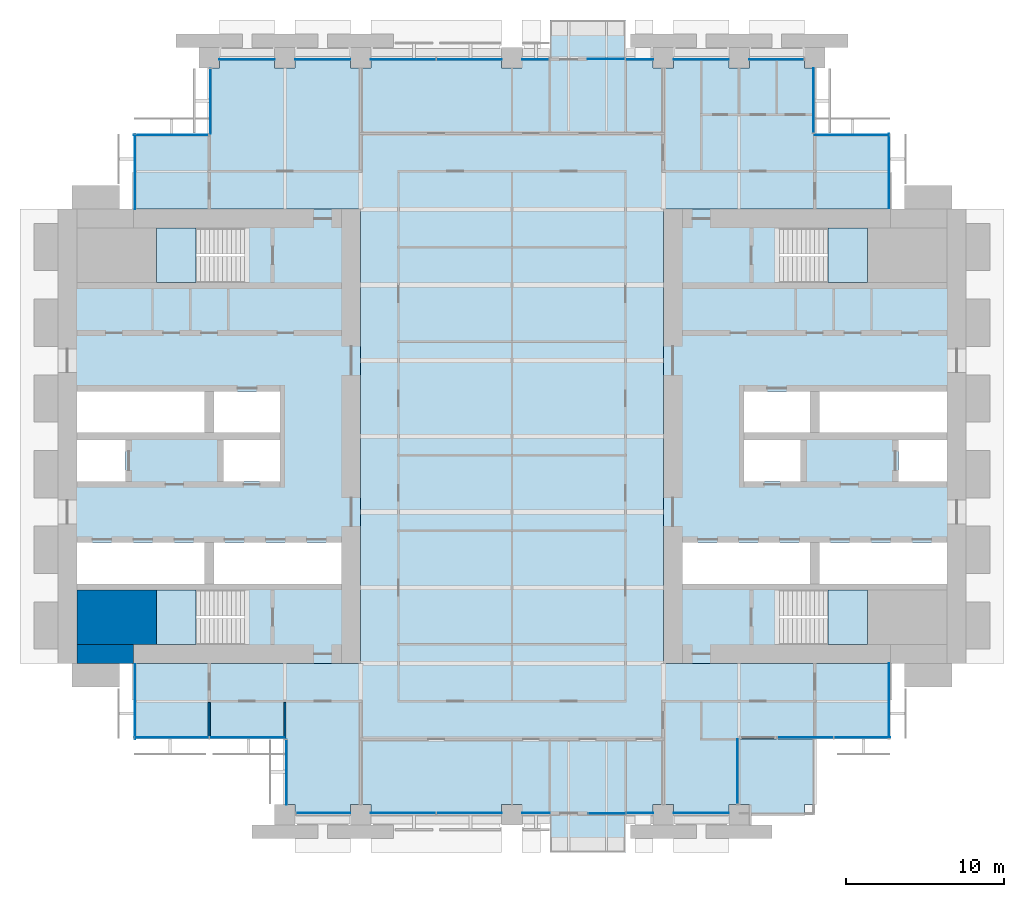
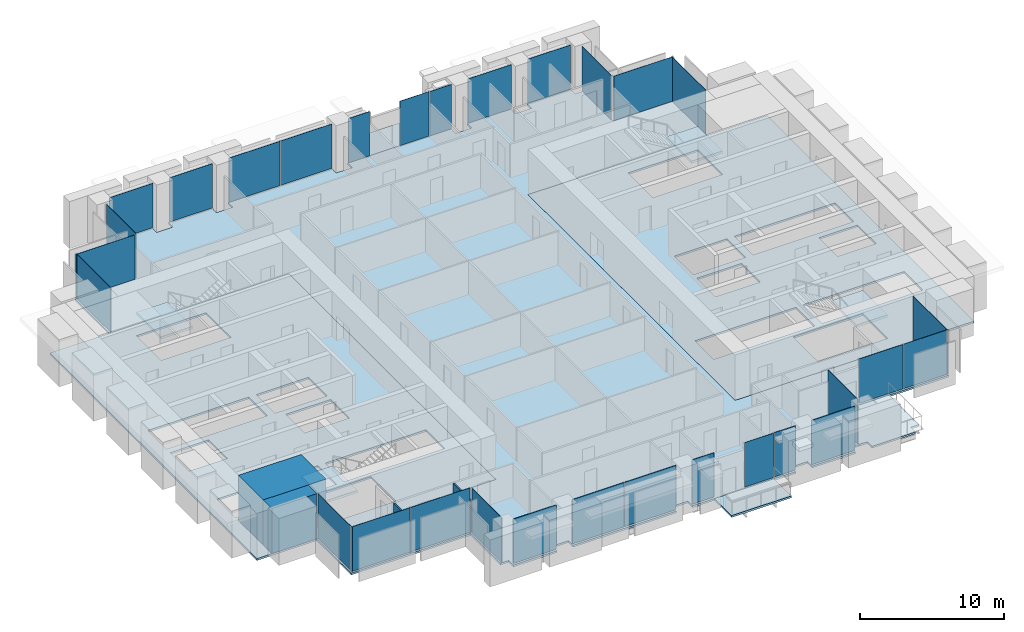
# One storey, part 8 of 15: 30 plates, 10 slabs, 4 walls, 22 elements without a shape of their own.
"""IFC4 building model written with IfcOpenShell, lengths in metres."""

from ifc_helpers import new_model, si_unit, direction, frame, frame_2d, origin, origin_2d, place, context, subcontext, project, spatial, polyline, rectangle, outline, extrude, material, layer, layer_set, type_object, element, aggregate, save


model = new_model("IFC4")

# Units and contexts
model_context = context("Model", 3, precision=1e-05, world=origin(), true_north=direction((0.0, 1.0)))
body_context = subcontext(model_context, "Body", "Model", "MODEL_VIEW")
ifc_project = project(units=[si_unit("LENGTHUNIT", "METRE"), si_unit("AREAUNIT", "SQUARE_METRE"), si_unit("VOLUMEUNIT", "CUBIC_METRE"), si_unit("PLANEANGLEUNIT", "RADIAN"), si_unit("MASSUNIT", "GRAM", prefix="KILO")], contexts=[model_context])

# Site, building, storey
site_placement = place(None, origin())
site = spatial("IfcSite", under=ifc_project, at=site_placement, CompositionType="ELEMENT")
building_placement = place(site_placement, origin())
building = spatial("IfcBuilding", under=site, at=building_placement, Name="Baori Bourse Tower", CompositionType="ELEMENT")
storey_placement = place(building_placement, frame((0.0, 0.0, 59.0)))
storey = spatial("IfcBuildingStorey", under=building, at=storey_placement, Name="L12", CompositionType="ELEMENT", Elevation=59.0)

# Slabs
ifc_material_1 = material(Name="Concrete f'c 40 MPa", Category="concrete")
ifc_layer_1 = layer(ifc_material_1, 0.159912109375)
ifc_layer_set_1 = layer_set([ifc_layer_1], Name="BL2 Balcony slab 160")
slab_type_1 = type_object("IfcSlabType", Name="BL2 Balcony slab 160", PredefinedType="FLOOR", material=ifc_layer_set_1)
slab_1_placement = place(storey_placement, frame((0.0, 0.0, -0.159912109375)))
element("IfcSlab", 1, at=slab_1_placement, inside=storey, type_object=slab_type_1, Name="Balcony slab L12 S", PredefinedType="FLOOR", context=body_context, shape_type="SweptSolid", body=[
    extrude(outline(polyline([(31.199951171875, 0.0), (31.199951171875, -2.39990234375), (36.0, -2.39990234375), (36.0, 0.0), (31.199951171875, 0.0)])), origin(), (0.0, 0.0, 1.0), 0.159912109375),
])
slab_2_placement = place(storey_placement, frame((0.0, 0.0, -0.159912109375)))
element("IfcSlab", 2, at=slab_2_placement, inside=storey, type_object=slab_type_1, Name="Balcony slab L12 N", PredefinedType="FLOOR", context=body_context, shape_type="SweptSolid", body=[
    extrude(outline(polyline([(31.199951171875, 48.0), (36.0, 48.0), (36.0, 50.39990234375), (31.199951171875, 50.39990234375), (31.199951171875, 48.0)])), origin(), (0.0, 0.0, 1.0), 0.159912109375),
])

# Curtain wall, plates
ifc_material_2 = material(Name="Pale anodised aluminium", Category="aluminium")
curtain_wall_type_1 = type_object("IfcCurtainWallType", Name="CW1 Curtain wall", PredefinedType="NOTDEFINED", material=ifc_material_2)
curtain_wall_1_placement = place(storey_placement, origin())
curtain_wall_1 = element("IfcCurtainWall", 3, at=curtain_wall_1_placement, inside=storey, type_object=curtain_wall_type_1, Name="Curtain wall CW1 L12 4", PredefinedType="NOTDEFINED")
ifc_material_3 = material(Name="Clear glass", Category="glass")
ifc_layer_2 = layer(ifc_material_3, 0.033935546875)
ifc_layer_set_2 = layer_set([ifc_layer_2], Name="CW1 Curtain wall panel")
plate_type_1 = type_object("IfcPlateType", Name="CW1 Curtain wall panel", PredefinedType="CURTAIN_PANEL", material=ifc_layer_set_2)
plate_1_placement = place(storey_placement, frame((45.570068359375, 47.89990234375, 0.080078125), z_axis=(0.0, 0.0, 1.0), x_axis=(-1.0, 0.0, 0.0)))
plate_1 = element("IfcPlate", 4, at=plate_1_placement, type_object=plate_type_1, Name="Curtain wall CW1 panel", PredefinedType="CURTAIN_PANEL", context=body_context, shape_type="SweptSolid", body=[
    extrude(rectangle(XDim=3.43994140625, YDim=0.033935546875, at=origin_2d()), origin(), (0.0, 0.0, 1.0), 3.760009765625),
])
plate_2_placement = place(storey_placement, frame((40.800048828125, 47.89990234375, 0.080078125), z_axis=(0.0, 0.0, 1.0), x_axis=(-1.0, 0.0, 0.0)))
plate_2 = element("IfcPlate", 5, at=plate_2_placement, type_object=plate_type_1, Name="Curtain wall CW1 panel", PredefinedType="CURTAIN_PANEL", context=body_context, shape_type="SweptSolid", body=[
    extrude(rectangle(XDim=3.5, YDim=0.033935546875, at=origin_2d()), origin(), (0.0, 0.0, 1.0), 3.760009765625),
])
plate_3_placement = place(storey_placement, frame((36.875, 47.89990234375, 0.080078125), z_axis=(0.0, 0.0, 1.0), x_axis=(-1.0, 0.0, 0.0)))
plate_3 = element("IfcPlate", 6, at=plate_3_placement, type_object=plate_type_1, Name="Curtain wall CW1 panel", PredefinedType="CURTAIN_PANEL", context=body_context, shape_type="SweptSolid", body=[
    extrude(rectangle(XDim=1.75, YDim=0.033935546875, at=origin_2d()), origin(), (0.0, 0.0, 1.0), 3.760009765625),
])
aggregate(curtain_wall_1, [plate_1, plate_2, plate_3])

curtain_wall_2_placement = place(storey_placement, origin())
curtain_wall_2 = element("IfcCurtainWall", 7, at=curtain_wall_2_placement, inside=storey, type_object=curtain_wall_type_1, Name="Curtain wall CW1 L12 6", PredefinedType="NOTDEFINED")
plate_4_placement = place(storey_placement, frame((30.294921875, 47.89990234375, 0.080078125), z_axis=(0.0, 0.0, 1.0), x_axis=(-1.0, 0.0, 0.0)))
plate_4 = element("IfcPlate", 8, at=plate_4_placement, type_object=plate_type_1, Name="Curtain wall CW1 panel", PredefinedType="CURTAIN_PANEL", context=body_context, shape_type="SweptSolid", body=[
    extrude(rectangle(XDim=1.68994140625, YDim=0.033935546875, at=origin_2d()), origin(), (0.0, 0.0, 1.0), 3.760009765625),
])
plate_5_placement = place(storey_placement, frame((26.090087890625, 47.89990234375, 0.080078125), z_axis=(0.0, 0.0, 1.0), x_axis=(-1.0, 0.0, 0.0)))
plate_5 = element("IfcPlate", 9, at=plate_5_placement, type_object=plate_type_1, Name="Curtain wall CW1 panel", PredefinedType="CURTAIN_PANEL", context=body_context, shape_type="SweptSolid", body=[
    extrude(rectangle(XDim=4.1201171875, YDim=0.033935546875, at=origin_2d()), origin(), (0.0, 0.0, 1.0), 3.760009765625),
])
plate_6_placement = place(storey_placement, frame((21.909912109375, 47.89990234375, 0.080078125), z_axis=(0.0, 0.0, 1.0), x_axis=(-1.0, 0.0, 0.0)))
plate_6 = element("IfcPlate", 10, at=plate_6_placement, type_object=plate_type_1, Name="Curtain wall CW1 panel", PredefinedType="CURTAIN_PANEL", context=body_context, shape_type="SweptSolid", body=[
    extrude(rectangle(XDim=4.1201171875, YDim=0.033935546875, at=origin_2d()), origin(), (0.0, 0.0, 1.0), 3.760009765625),
])
plate_7_placement = place(storey_placement, frame((16.800048828125, 47.89990234375, 0.080078125), z_axis=(0.0, 0.0, 1.0), x_axis=(-1.0, 0.0, 0.0)))
plate_7 = element("IfcPlate", 11, at=plate_7_placement, type_object=plate_type_1, Name="Curtain wall CW1 panel", PredefinedType="CURTAIN_PANEL", context=body_context, shape_type="SweptSolid", body=[
    extrude(rectangle(XDim=3.5, YDim=0.033935546875, at=origin_2d()), origin(), (0.0, 0.0, 1.0), 3.760009765625),
])
plate_8_placement = place(storey_placement, frame((12.0, 47.89990234375, 0.080078125), z_axis=(0.0, 0.0, 1.0), x_axis=(-1.0, 0.0, 0.0)))
plate_8 = element("IfcPlate", 12, at=plate_8_placement, type_object=plate_type_1, Name="Curtain wall CW1 panel", PredefinedType="CURTAIN_PANEL", context=body_context, shape_type="SweptSolid", body=[
    extrude(rectangle(XDim=3.5, YDim=0.033935546875, at=origin_2d()), origin(), (0.0, 0.0, 1.0), 3.760009765625),
])
aggregate(curtain_wall_2, [plate_4, plate_5, plate_6, plate_7, plate_8])

curtain_wall_3_placement = place(storey_placement, origin())
curtain_wall_3 = element("IfcCurtainWall", 13, at=curtain_wall_3_placement, inside=storey, type_object=curtain_wall_type_1, Name="Curtain wall CW1 L12 13", PredefinedType="NOTDEFINED")
plate_9_placement = place(storey_placement, frame((16.830078125, 0.10009765625, 0.080078125), z_axis=(0.0, 0.0, 1.0), x_axis=(1.0, 0.0, 0.0)))
plate_9 = element("IfcPlate", 14, at=plate_9_placement, type_object=plate_type_1, Name="Curtain wall CW1 panel", PredefinedType="CURTAIN_PANEL", context=body_context, shape_type="SweptSolid", body=[
    extrude(rectangle(XDim=3.43994140625, YDim=0.033935546875, at=origin_2d()), origin(), (0.0, 0.0, 1.0), 3.760009765625),
])
plate_10_placement = place(storey_placement, frame((21.909912109375, 0.10009765625, 0.080078125), z_axis=(0.0, 0.0, 1.0), x_axis=(1.0, 0.0, 0.0)))
plate_10 = element("IfcPlate", 15, at=plate_10_placement, type_object=plate_type_1, Name="Curtain wall CW1 panel", PredefinedType="CURTAIN_PANEL", context=body_context, shape_type="SweptSolid", body=[
    extrude(rectangle(XDim=4.1201171875, YDim=0.033935546875, at=origin_2d()), origin(), (0.0, 0.0, 1.0), 3.760009765625),
])
plate_11_placement = place(storey_placement, frame((26.090087890625, 0.10009765625, 0.080078125), z_axis=(0.0, 0.0, 1.0), x_axis=(1.0, 0.0, 0.0)))
plate_11 = element("IfcPlate", 16, at=plate_11_placement, type_object=plate_type_1, Name="Curtain wall CW1 panel", PredefinedType="CURTAIN_PANEL", context=body_context, shape_type="SweptSolid", body=[
    extrude(rectangle(XDim=4.1201171875, YDim=0.033935546875, at=origin_2d()), origin(), (0.0, 0.0, 1.0), 3.760009765625),
])
plate_12_placement = place(storey_placement, frame((30.324951171875, 0.10009765625, 0.080078125), z_axis=(0.0, 0.0, 1.0), x_axis=(1.0, 0.0, 0.0)))
plate_12 = element("IfcPlate", 17, at=plate_12_placement, type_object=plate_type_1, Name="Curtain wall CW1 panel", PredefinedType="CURTAIN_PANEL", context=body_context, shape_type="SweptSolid", body=[
    extrude(rectangle(XDim=1.75, YDim=0.033935546875, at=origin_2d()), origin(), (0.0, 0.0, 1.0), 3.760009765625),
])
aggregate(curtain_wall_3, [plate_9, plate_10, plate_11, plate_12])

curtain_wall_4_placement = place(storey_placement, origin())
curtain_wall_4 = element("IfcCurtainWall", 18, at=curtain_wall_4_placement, inside=storey, type_object=curtain_wall_type_1, Name="Curtain wall CW1 L12 15", PredefinedType="NOTDEFINED")
plate_13_placement = place(storey_placement, frame((36.905029296875, 0.10009765625, 0.080078125), z_axis=(0.0, 0.0, 1.0), x_axis=(1.0, 0.0, 0.0)))
plate_13 = element("IfcPlate", 19, at=plate_13_placement, type_object=plate_type_1, Name="Curtain wall CW1 panel", PredefinedType="CURTAIN_PANEL", context=body_context, shape_type="SweptSolid", body=[
    extrude(rectangle(XDim=1.68994140625, YDim=0.033935546875, at=origin_2d()), origin(), (0.0, 0.0, 1.0), 3.760009765625),
])
plate_14_placement = place(storey_placement, frame((40.800048828125, 0.10009765625, 0.080078125), z_axis=(0.0, 0.0, 1.0), x_axis=(1.0, 0.0, 0.0)))
plate_14 = element("IfcPlate", 20, at=plate_14_placement, type_object=plate_type_1, Name="Curtain wall CW1 panel", PredefinedType="CURTAIN_PANEL", context=body_context, shape_type="SweptSolid", body=[
    extrude(rectangle(XDim=3.5, YDim=0.033935546875, at=origin_2d()), origin(), (0.0, 0.0, 1.0), 3.760009765625),
])
aggregate(curtain_wall_4, [plate_13, plate_14])

# Curtain wall, plate
ifc_material_4 = material(Name="Pale anodised aluminium", Category="aluminium")
curtain_wall_type_2 = type_object("IfcCurtainWallType", Name="CW2 Curtain wall", PredefinedType="NOTDEFINED", material=ifc_material_4)
curtain_wall_5_placement = place(storey_placement, origin())
curtain_wall_5 = element("IfcCurtainWall", 21, at=curtain_wall_5_placement, inside=storey, type_object=curtain_wall_type_2, Name="Curtain wall CW2 L12 1", PredefinedType="NOTDEFINED")
ifc_material_5 = material(Name="Clear glass", Category="glass")
ifc_layer_3 = layer(ifc_material_5, 0.030029296875)
ifc_layer_set_3 = layer_set([ifc_layer_3], Name="CW2 Curtain wall panel")
plate_type_2 = type_object("IfcPlateType", Name="CW2 Curtain wall panel", PredefinedType="CURTAIN_PANEL", material=ifc_layer_set_3)
plate_15_placement = place(storey_placement, frame((52.7099609375, 40.827392578125, 0.070068359375), z_axis=(0.0, 0.0, 1.0), x_axis=(0.0, 1.0, 0.0)))
plate_15 = element("IfcPlate", 22, at=plate_15_placement, type_object=plate_type_2, Name="Curtain wall CW2 panel", PredefinedType="CURTAIN_PANEL", context=body_context, shape_type="SweptSolid", body=[
    extrude(rectangle(XDim=4.7451171875, YDim=0.030029296875, at=origin_2d()), origin(), (0.0, 0.0, 1.0), 3.77001953125),
])
aggregate(curtain_wall_5, [plate_15])

curtain_wall_6_placement = place(storey_placement, origin())
curtain_wall_6 = element("IfcCurtainWall", 23, at=curtain_wall_6_placement, inside=storey, type_object=curtain_wall_type_2, Name="Curtain wall CW2 L12 2", PredefinedType="NOTDEFINED")
plate_16_placement = place(storey_placement, frame((50.37255859375, 43.110107421875, 0.070068359375), z_axis=(0.0, 0.0, 1.0), x_axis=(-1.0, 0.0, 0.0)))
plate_16 = element("IfcPlate", 24, at=plate_16_placement, type_object=plate_type_2, Name="Curtain wall CW2 panel", PredefinedType="CURTAIN_PANEL", context=body_context, shape_type="SweptSolid", body=[
    extrude(rectangle(XDim=4.7451171875, YDim=0.030029296875, at=origin_2d()), origin(), (0.0, 0.0, 1.0), 3.77001953125),
])
aggregate(curtain_wall_6, [plate_16])

curtain_wall_7_placement = place(storey_placement, origin())
curtain_wall_7 = element("IfcCurtainWall", 25, at=curtain_wall_7_placement, inside=storey, type_object=curtain_wall_type_2, Name="Curtain wall CW2 L12 3", PredefinedType="NOTDEFINED")
plate_17_placement = place(storey_placement, frame((47.909912109375, 45.302490234375, 0.070068359375), z_axis=(0.0, 0.0, 1.0), x_axis=(0.0, 1.0, 0.0)))
plate_17 = element("IfcPlate", 26, at=plate_17_placement, type_object=plate_type_2, Name="Curtain wall CW2 panel", PredefinedType="CURTAIN_PANEL", context=body_context, shape_type="SweptSolid", body=[
    extrude(rectangle(XDim=4.094970703125, YDim=0.030029296875, at=origin_2d()), origin(), (0.0, 0.0, 1.0), 3.77001953125),
])
aggregate(curtain_wall_7, [plate_17])

curtain_wall_8_placement = place(storey_placement, origin())
curtain_wall_8 = element("IfcCurtainWall", 27, at=curtain_wall_8_placement, inside=storey, type_object=curtain_wall_type_2, Name="Curtain wall CW2 L12 7", PredefinedType="NOTDEFINED")
plate_18_placement = place(storey_placement, frame((9.68994140625, 45.24755859375, 0.070068359375), z_axis=(0.0, 0.0, 1.0), x_axis=(0.0, -1.0, 0.0)))
plate_18 = element("IfcPlate", 28, at=plate_18_placement, type_object=plate_type_2, Name="Curtain wall CW2 panel", PredefinedType="CURTAIN_PANEL", context=body_context, shape_type="SweptSolid", body=[
    extrude(rectangle(XDim=4.094970703125, YDim=0.030029296875, at=origin_2d()), origin(), (0.0, 0.0, 1.0), 3.77001953125),
])
aggregate(curtain_wall_8, [plate_18])

curtain_wall_9_placement = place(storey_placement, origin())
curtain_wall_9 = element("IfcCurtainWall", 29, at=curtain_wall_9_placement, inside=storey, type_object=curtain_wall_type_2, Name="Curtain wall CW2 L12 8", PredefinedType="NOTDEFINED")
plate_19_placement = place(storey_placement, frame((7.172607421875, 43.110107421875, 0.070068359375), z_axis=(0.0, 0.0, 1.0), x_axis=(-1.0, 0.0, 0.0)))
plate_19 = element("IfcPlate", 30, at=plate_19_placement, type_object=plate_type_2, Name="Curtain wall CW2 panel", PredefinedType="CURTAIN_PANEL", context=body_context, shape_type="SweptSolid", body=[
    extrude(rectangle(XDim=4.7451171875, YDim=0.030029296875, at=origin_2d()), origin(), (0.0, 0.0, 1.0), 3.77001953125),
])
aggregate(curtain_wall_9, [plate_19])

curtain_wall_10_placement = place(storey_placement, origin())
curtain_wall_10 = element("IfcCurtainWall", 31, at=curtain_wall_10_placement, inside=storey, type_object=curtain_wall_type_2, Name="Curtain wall CW2 L12 9", PredefinedType="NOTDEFINED")
plate_20_placement = place(storey_placement, frame((4.889892578125, 40.7724609375, 0.070068359375), z_axis=(0.0, 0.0, 1.0), x_axis=(0.0, -1.0, 0.0)))
plate_20 = element("IfcPlate", 32, at=plate_20_placement, type_object=plate_type_2, Name="Curtain wall CW2 panel", PredefinedType="CURTAIN_PANEL", context=body_context, shape_type="SweptSolid", body=[
    extrude(rectangle(XDim=4.7451171875, YDim=0.030029296875, at=origin_2d()), origin(), (0.0, 0.0, 1.0), 3.77001953125),
])
aggregate(curtain_wall_10, [plate_20])

curtain_wall_11_placement = place(storey_placement, origin())
curtain_wall_11 = element("IfcCurtainWall", 33, at=curtain_wall_11_placement, inside=storey, type_object=curtain_wall_type_2, Name="Curtain wall CW2 L12 10", PredefinedType="NOTDEFINED")
plate_21_placement = place(storey_placement, frame((4.889892578125, 7.172607421875, 0.070068359375), z_axis=(0.0, 0.0, 1.0), x_axis=(0.0, -1.0, 0.0)))
plate_21 = element("IfcPlate", 34, at=plate_21_placement, type_object=plate_type_2, Name="Curtain wall CW2 panel", PredefinedType="CURTAIN_PANEL", context=body_context, shape_type="SweptSolid", body=[
    extrude(rectangle(XDim=4.7451171875, YDim=0.030029296875, at=origin_2d()), origin(), (0.0, 0.0, 1.0), 3.77001953125),
])
aggregate(curtain_wall_11, [plate_21])

# Curtain wall, plates
curtain_wall_12_placement = place(storey_placement, origin())
curtain_wall_12 = element("IfcCurtainWall", 35, at=curtain_wall_12_placement, inside=storey, type_object=curtain_wall_type_2, Name="Curtain wall CW2 L12 11", PredefinedType="NOTDEFINED")
plate_22_placement = place(storey_placement, frame((7.2138671875, 4.889892578125, 0.070068359375), z_axis=(0.0, 0.0, 1.0), x_axis=(1.0, 0.0, 0.0)))
plate_22 = element("IfcPlate", 36, at=plate_22_placement, type_object=plate_type_2, Name="Curtain wall CW2 panel", PredefinedType="CURTAIN_PANEL", context=body_context, shape_type="SweptSolid", body=[
    extrude(rectangle(XDim=4.717529296875, YDim=0.030029296875, at=origin_2d()), origin(), (0.0, 0.0, 1.0), 3.77001953125),
])
plate_23_placement = place(storey_placement, frame((12.013671875, 4.889892578125, 0.070068359375), z_axis=(0.0, 0.0, 1.0), x_axis=(1.0, 0.0, 0.0)))
plate_23 = element("IfcPlate", 37, at=plate_23_placement, type_object=plate_type_2, Name="Curtain wall CW2 panel", PredefinedType="CURTAIN_PANEL", context=body_context, shape_type="SweptSolid", body=[
    extrude(rectangle(XDim=4.7724609375, YDim=0.030029296875, at=origin_2d()), origin(), (0.0, 0.0, 1.0), 3.77001953125),
])
aggregate(curtain_wall_12, [plate_22, plate_23])

# Curtain wall, plate
curtain_wall_13_placement = place(storey_placement, origin())
curtain_wall_13 = element("IfcCurtainWall", 38, at=curtain_wall_13_placement, inside=storey, type_object=curtain_wall_type_2, Name="Curtain wall CW2 L12 12", PredefinedType="NOTDEFINED")
plate_24_placement = place(storey_placement, frame((14.489990234375, 2.697509765625, 0.070068359375), z_axis=(0.0, 0.0, 1.0), x_axis=(0.0, -1.0, 0.0)))
plate_24 = element("IfcPlate", 39, at=plate_24_placement, type_object=plate_type_2, Name="Curtain wall CW2 panel", PredefinedType="CURTAIN_PANEL", context=body_context, shape_type="SweptSolid", body=[
    extrude(rectangle(XDim=4.094970703125, YDim=0.030029296875, at=origin_2d()), origin(), (0.0, 0.0, 1.0), 3.77001953125),
])
aggregate(curtain_wall_13, [plate_24])

curtain_wall_14_placement = place(storey_placement, origin())
curtain_wall_14 = element("IfcCurtainWall", 40, at=curtain_wall_14_placement, inside=storey, type_object=curtain_wall_type_2, Name="Curtain wall CW2 L12 16", PredefinedType="NOTDEFINED")
plate_25_placement = place(storey_placement, frame((43.110107421875, 2.75244140625, 0.070068359375), z_axis=(0.0, 0.0, 1.0), x_axis=(0.0, 1.0, 0.0)))
plate_25 = element("IfcPlate", 41, at=plate_25_placement, type_object=plate_type_2, Name="Curtain wall CW2 panel", PredefinedType="CURTAIN_PANEL", context=body_context, shape_type="SweptSolid", body=[
    extrude(rectangle(XDim=4.094970703125, YDim=0.030029296875, at=origin_2d()), origin(), (0.0, 0.0, 1.0), 3.77001953125),
])
aggregate(curtain_wall_14, [plate_25])

# Curtain wall, plates
curtain_wall_15_placement = place(storey_placement, origin())
curtain_wall_15 = element("IfcCurtainWall", 42, at=curtain_wall_15_placement, inside=storey, type_object=curtain_wall_type_2, Name="Curtain wall CW2 L12 17", PredefinedType="NOTDEFINED")
plate_26_placement = place(storey_placement, frame((47.413818359375, 4.889892578125, 0.070068359375), z_axis=(0.0, 0.0, 1.0), x_axis=(1.0, 0.0, 0.0)))
plate_26 = element("IfcPlate", 43, at=plate_26_placement, type_object=plate_type_2, Name="Curtain wall CW2 panel", PredefinedType="CURTAIN_PANEL", context=body_context, shape_type="SweptSolid", body=[
    extrude(rectangle(XDim=3.517578125, YDim=0.030029296875, at=origin_2d()), origin(), (0.0, 0.0, 1.0), 3.77001953125),
])
plate_27_placement = place(storey_placement, frame((51.013671875, 4.889892578125, 0.070068359375), z_axis=(0.0, 0.0, 1.0), x_axis=(1.0, 0.0, 0.0)))
plate_27 = element("IfcPlate", 44, at=plate_27_placement, type_object=plate_type_2, Name="Curtain wall CW2 panel", PredefinedType="CURTAIN_PANEL", context=body_context, shape_type="SweptSolid", body=[
    extrude(rectangle(XDim=3.572509765625, YDim=0.030029296875, at=origin_2d()), origin(), (0.0, 0.0, 1.0), 3.77001953125),
])
aggregate(curtain_wall_15, [plate_26, plate_27])

# Curtain wall, plate
curtain_wall_16_placement = place(storey_placement, origin())
curtain_wall_16 = element("IfcCurtainWall", 45, at=curtain_wall_16_placement, inside=storey, type_object=curtain_wall_type_2, Name="Curtain wall CW2 L12 18", PredefinedType="NOTDEFINED")
plate_28_placement = place(storey_placement, frame((52.7099609375, 7.2275390625, 0.070068359375), z_axis=(0.0, 0.0, 1.0), x_axis=(0.0, 1.0, 0.0)))
plate_28 = element("IfcPlate", 46, at=plate_28_placement, type_object=plate_type_2, Name="Curtain wall CW2 panel", PredefinedType="CURTAIN_PANEL", context=body_context, shape_type="SweptSolid", body=[
    extrude(rectangle(XDim=4.7451171875, YDim=0.030029296875, at=origin_2d()), origin(), (0.0, 0.0, 1.0), 3.77001953125),
])
aggregate(curtain_wall_16, [plate_28])

ifc_material_6 = material(Name="Pale anodised aluminium", Category="aluminium")
curtain_wall_type_3 = type_object("IfcCurtainWallType", Name="CW6 Curtain wall", PredefinedType="NOTDEFINED", material=ifc_material_6)
curtain_wall_17_placement = place(storey_placement, origin())
curtain_wall_17 = element("IfcCurtainWall", 47, at=curtain_wall_17_placement, inside=storey, type_object=curtain_wall_type_3, Name="Curtain wall CW6 L12 5", PredefinedType="NOTDEFINED")
ifc_material_7 = material(Name="Clear glass", Category="glass")
ifc_layer_4 = layer(ifc_material_7, 0.028076171875)
ifc_layer_set_4 = layer_set([ifc_layer_4], Name="CW6 Curtain wall panel")
plate_type_3 = type_object("IfcPlateType", Name="CW6 Curtain wall panel", PredefinedType="CURTAIN_PANEL", material=ifc_layer_set_4)
plate_29_placement = place(storey_placement, frame((34.77490234375, 47.925048828125, 0.06494140625), z_axis=(0.0, 0.0, 1.0), x_axis=(-1.0, 0.0, 0.0)))
plate_29 = element("IfcPlate", 48, at=plate_29_placement, type_object=plate_type_3, Name="Curtain wall CW6 panel", PredefinedType="CURTAIN_PANEL", context=body_context, shape_type="SweptSolid", body=[
    extrude(rectangle(XDim=2.35009765625, YDim=0.028076171875, at=origin_2d()), origin(), (0.0, 0.0, 1.0), 3.77490234375),
])
aggregate(curtain_wall_17, [plate_29])

curtain_wall_18_placement = place(storey_placement, origin())
curtain_wall_18 = element("IfcCurtainWall", 49, at=curtain_wall_18_placement, inside=storey, type_object=curtain_wall_type_3, Name="Curtain wall CW6 L12 14", PredefinedType="NOTDEFINED")
plate_30_placement = place(storey_placement, frame((34.824951171875, 0.074951171875, 0.06494140625), z_axis=(0.0, 0.0, 1.0), x_axis=(1.0, 0.0, 0.0)))
plate_30 = element("IfcPlate", 50, at=plate_30_placement, type_object=plate_type_3, Name="Curtain wall CW6 panel", PredefinedType="CURTAIN_PANEL", context=body_context, shape_type="SweptSolid", body=[
    extrude(rectangle(XDim=2.35009765625, YDim=0.028076171875, at=origin_2d()), origin(), (0.0, 0.0, 1.0), 3.77490234375),
])
aggregate(curtain_wall_18, [plate_30])

# Slabs
ifc_material_8 = material(Name="Concrete f'c 50 MPa", Category="concrete")
ifc_layer_5 = layer(ifc_material_8, 0.159912109375)
ifc_layer_set_5 = layer_set([ifc_layer_5], Name="Core slab 160")
slab_type_2 = type_object("IfcSlabType", Name="Core slab 160", PredefinedType="FLOOR", material=ifc_layer_set_5)
slab_3_placement = place(storey_placement, frame((0.0, 0.0, -0.159912109375)))
element("IfcSlab", 51, at=slab_3_placement, inside=storey, type_object=slab_type_2, Name="Core floor slab W01", PredefinedType="FLOOR", context=body_context, shape_type="SweptSolid", body=[
    extrude(outline(polyline([(19.199951171875, 9.60009765625), (19.199951171875, 38.39990234375), (0.0, 38.39990234375), (0.0, 9.60009765625), (19.199951171875, 9.60009765625)]), holes=[polyline([(9.89990234375, 14.64990234375), (9.89990234375, 17.25), (18.0, 17.25), (18.0, 14.64990234375), (9.89990234375, 14.64990234375)]), polyline([(10.5, 21.14990234375), (10.5, 23.75), (14.10009765625, 23.75), (14.10009765625, 21.14990234375), (10.5, 21.14990234375)]), polyline([(14.10009765625, 24.25), (9.89990234375, 24.25), (9.89990234375, 26.85009765625), (14.10009765625, 26.85009765625), (14.10009765625, 24.25)]), polyline([(6.25, 14.25), (11.84912109375, 14.25), (11.84912109375, 10.800048828125), (6.25, 10.800048828125), (6.25, 14.25)]), polyline([(11.84912109375, 37.199951171875), (11.84912109375, 33.75), (6.25, 33.75), (6.25, 37.199951171875), (11.84912109375, 37.199951171875)]), polyline([(1.199951171875, 26.85009765625), (9.300048828125, 26.85009765625), (9.300048828125, 24.25), (1.199951171875, 24.25), (1.199951171875, 26.85009765625)]), polyline([(9.300048828125, 14.64990234375), (1.199951171875, 14.64990234375), (1.199951171875, 17.25), (9.300048828125, 17.25), (9.300048828125, 14.64990234375)]), polyline([(4.300048828125, 23.75), (4.300048828125, 21.14990234375), (1.199951171875, 21.14990234375), (1.199951171875, 23.75), (4.300048828125, 23.75)])]), origin(), (0.0, 0.0, 1.0), 0.159912109375),
])
slab_4_placement = place(storey_placement, frame((0.0, 0.0, -0.159912109375)))
element("IfcSlab", 52, at=slab_4_placement, inside=storey, type_object=slab_type_2, Name="Core floor slab E01", PredefinedType="FLOOR", context=body_context, shape_type="SweptSolid", body=[
    extrude(outline(polyline([(38.39990234375, 9.60009765625), (57.60009765625, 9.60009765625), (57.60009765625, 38.39990234375), (38.39990234375, 38.39990234375), (38.39990234375, 9.60009765625)]), holes=[polyline([(48.300048828125, 14.64990234375), (48.300048828125, 17.25), (56.39990234375, 17.25), (56.39990234375, 14.64990234375), (48.300048828125, 14.64990234375)]), polyline([(56.39990234375, 21.14990234375), (53.300048828125, 21.14990234375), (53.300048828125, 23.75), (56.39990234375, 23.75), (56.39990234375, 21.14990234375)]), polyline([(56.39990234375, 26.85009765625), (56.39990234375, 24.25), (48.300048828125, 24.25), (48.300048828125, 26.85009765625), (56.39990234375, 26.85009765625)]), polyline([(45.750732421875, 14.25), (51.35009765625, 14.25), (51.35009765625, 10.800048828125), (45.750732421875, 10.800048828125), (45.750732421875, 14.25)]), polyline([(51.35009765625, 37.199951171875), (51.35009765625, 33.75), (45.750732421875, 33.75), (45.750732421875, 37.199951171875), (51.35009765625, 37.199951171875)]), polyline([(39.60009765625, 17.25), (47.699951171875, 17.25), (47.699951171875, 14.64990234375), (39.60009765625, 14.64990234375), (39.60009765625, 17.25)]), polyline([(43.5, 24.25), (43.5, 26.85009765625), (47.699951171875, 26.85009765625), (47.699951171875, 24.25), (43.5, 24.25)]), polyline([(43.5, 23.75), (47.10009765625, 23.75), (47.10009765625, 21.14990234375), (43.5, 21.14990234375), (43.5, 23.75)])]), origin(), (0.0, 0.0, 1.0), 0.159912109375),
])

# Stair, slab
ifc_material_9 = material(Name="Concrete f'c 50 MPa", Category="concrete")
stair_type = type_object("IfcStairType", Name="Core stair", PredefinedType="HALF_TURN_STAIR", material=ifc_material_9)
stair_1_placement = place(storey_placement, origin())
stair_1 = element("IfcStair", 53, at=stair_1_placement, inside=storey, type_object=stair_type, Name="L12 Stair WA", PredefinedType="HALF_TURN_STAIR")
ifc_material_10 = material(Name="Concrete f'c 50 MPa", Category="concrete")
slab_type_3 = type_object("IfcSlabType", Name="Core stair landing", PredefinedType="LANDING", material=ifc_material_10)
slab_5_placement = place(storey_placement, frame((0.0, 0.0, 1.800048828125)))
slab_5 = element("IfcSlab", 54, at=slab_5_placement, type_object=slab_type_3, Name="ST1 landing 1", PredefinedType="LANDING", context=body_context, shape_type="SweptSolid", body=[
    extrude(outline(polyline([(8.77001953125, 14.25), (6.25, 14.25), (6.25, 10.800048828125), (8.77001953125, 10.800048828125), (8.77001953125, 14.25)])), origin(), (0.0, 0.0, 1.0), 0.199951171875),
])
aggregate(stair_1, [slab_5])

stair_2_placement = place(storey_placement, origin())
stair_2 = element("IfcStair", 55, at=stair_2_placement, inside=storey, type_object=stair_type, Name="L12 Stair WB", PredefinedType="HALF_TURN_STAIR")
slab_6_placement = place(storey_placement, frame((0.0, 0.0, 1.800048828125)))
slab_6 = element("IfcSlab", 56, at=slab_6_placement, type_object=slab_type_3, Name="ST2 landing 1", PredefinedType="LANDING", context=body_context, shape_type="SweptSolid", body=[
    extrude(outline(polyline([(8.77001953125, 37.199951171875), (6.25, 37.199951171875), (6.25, 33.75), (8.77001953125, 33.75), (8.77001953125, 37.199951171875)])), origin(), (0.0, 0.0, 1.0), 0.199951171875),
])
aggregate(stair_2, [slab_6])

stair_3_placement = place(storey_placement, origin())
stair_3 = element("IfcStair", 57, at=stair_3_placement, inside=storey, type_object=stair_type, Name="L12 Stair EA", PredefinedType="HALF_TURN_STAIR")
slab_7_placement = place(storey_placement, frame((0.0, 0.0, 1.800048828125)))
slab_7 = element("IfcSlab", 58, at=slab_7_placement, type_object=slab_type_3, Name="ST3 landing 1", PredefinedType="LANDING", context=body_context, shape_type="SweptSolid", body=[
    extrude(outline(polyline([(48.830078125, 10.800048828125), (51.35009765625, 10.800048828125), (51.35009765625, 14.25), (48.830078125, 14.25), (48.830078125, 10.800048828125)])), origin(), (0.0, 0.0, 1.0), 0.199951171875),
])
aggregate(stair_3, [slab_7])

stair_4_placement = place(storey_placement, origin())
stair_4 = element("IfcStair", 59, at=stair_4_placement, inside=storey, type_object=stair_type, Name="L12 Stair EB", PredefinedType="HALF_TURN_STAIR")
slab_8_placement = place(storey_placement, frame((0.0, 0.0, 1.800048828125)))
slab_8 = element("IfcSlab", 60, at=slab_8_placement, type_object=slab_type_3, Name="ST4 landing 1", PredefinedType="LANDING", context=body_context, shape_type="SweptSolid", body=[
    extrude(outline(polyline([(48.830078125, 33.75), (51.35009765625, 33.75), (51.35009765625, 37.199951171875), (48.830078125, 37.199951171875), (48.830078125, 33.75)])), origin(), (0.0, 0.0, 1.0), 0.199951171875),
])
aggregate(stair_4, [slab_8])

# Slabs
ifc_material_11 = material(Name="Concrete f'c 40 MPa", Category="concrete")
ifc_layer_6 = layer(ifc_material_11, 0.159912109375)
ifc_layer_set_6 = layer_set([ifc_layer_6], Name="Floor slab 160")
slab_type_4 = type_object("IfcSlabType", Name="Floor slab 160", PredefinedType="FLOOR", material=ifc_layer_set_6)
slab_9_placement = place(storey_placement, frame((0.0, 0.0, -0.159912109375)))
element("IfcSlab", 61, at=slab_9_placement, inside=storey, type_object=slab_type_4, Name="Floor slab L12", PredefinedType="FLOOR", context=body_context, shape_type="SweptSolid", body=[
    extrude(outline(polyline([(14.39990234375, 4.800048828125), (4.800048828125, 4.800048828125), (4.800048828125, 9.60009765625), (19.199951171875, 9.60009765625), (19.199951171875, 38.39990234375), (4.800048828125, 38.39990234375), (4.800048828125, 43.199951171875), (9.60009765625, 43.199951171875), (9.60009765625, 47.35009765625), (10.25, 47.35009765625), (10.25, 48.0), (13.75, 48.0), (13.75, 47.35009765625), (15.050048828125, 47.35009765625), (15.050048828125, 48.0), (18.550048828125, 48.0), (18.550048828125, 47.35009765625), (19.85009765625, 47.35009765625), (19.85009765625, 48.0), (28.14990234375, 48.0), (28.14990234375, 47.35009765625), (29.449951171875, 47.35009765625), (29.449951171875, 48.0), (37.75, 48.0), (37.75, 47.35009765625), (39.050048828125, 47.35009765625), (39.050048828125, 48.0), (42.550048828125, 48.0), (42.550048828125, 47.35009765625), (43.85009765625, 47.35009765625), (43.85009765625, 48.0), (47.35009765625, 48.0), (47.35009765625, 47.35009765625), (48.0, 47.35009765625), (48.0, 43.199951171875), (52.800048828125, 43.199951171875), (52.800048828125, 38.39990234375), (38.39990234375, 38.39990234375), (38.39990234375, 9.60009765625), (52.800048828125, 9.60009765625), (52.800048828125, 4.800048828125), (43.199951171875, 4.800048828125), (43.199951171875, 0.64990234375), (42.550048828125, 0.64990234375), (42.550048828125, 0.0), (39.050048828125, 0.0), (39.050048828125, 0.64990234375), (37.75, 0.64990234375), (37.75, 0.0), (29.449951171875, 0.0), (29.449951171875, 0.64990234375), (28.14990234375, 0.64990234375), (28.14990234375, 0.0), (19.85009765625, 0.0), (19.85009765625, 0.64990234375), (18.550048828125, 0.64990234375), (18.550048828125, 0.0), (15.050048828125, 0.0), (15.050048828125, 0.64990234375), (14.39990234375, 0.64990234375), (14.39990234375, 4.800048828125)])), origin(), (0.0, 0.0, 1.0), 0.159912109375),
])
ifc_material_12 = material(Name="Concrete f'c 40 MPa", Category="concrete")
ifc_layer_7 = layer(ifc_material_12, 0.159912109375)
ifc_layer_set_7 = layer_set([ifc_layer_7], Name="Terrace slab 160")
slab_type_5 = type_object("IfcSlabType", Name="Terrace slab 160", PredefinedType="ROOF", material=ifc_layer_set_7)
slab_10_placement = place(storey_placement, frame((0.0, 0.0, -0.159912109375)))
element("IfcSlab", 62, at=slab_10_placement, inside=storey, type_object=slab_type_5, Name="Terrace slab SE L12", PredefinedType="ROOF", context=body_context, shape_type="SweptSolid", body=[
    extrude(outline(polyline([(43.202880859375, 4.797119140625), (47.9970703125, 4.797119140625), (47.9970703125, 0.64990234375), (47.35009765625, 0.64990234375), (47.35009765625, 0.0029296875), (43.85009765625, 0.0029296875), (43.85009765625, 0.64990234375), (43.202880859375, 0.64990234375), (43.202880859375, 4.797119140625)])), origin(), (0.0, 0.0, 1.0), 0.159912109375),
])

# Walls
ifc_material_13 = material(Name="Concrete f'c 70 MPa", Category="concrete")
wall_type_1 = type_object("IfcWallType", Name="Core corner block f'c 70", PredefinedType="SHEAR", material=ifc_material_13)
wall_1_placement = place(storey_placement, frame((1.199951171875, 12.52490234375, 0.0), z_axis=(0.0, 0.0, 1.0), x_axis=(1.0, 0.0, 0.0)))
element("IfcWall", 63, at=wall_1_placement, inside=storey, type_object=wall_type_1, Name="Core wall W05", PredefinedType="SHEAR", context=body_context, shape_type="SweptSolid", body=[
    extrude(rectangle(XDim=5.050048828125, YDim=3.449951171875, at=frame_2d((2.52490234375, 0.0))), origin(), (0.0, 0.0, 1.0), 3.840087890625),
])
ifc_material_14 = material(Name="Concrete f'c 70 MPa", Category="concrete")
ifc_layer_8 = layer(ifc_material_14, 1.199951171875)
ifc_layer_set_8 = layer_set([ifc_layer_8], Name="Core wall 1200 f'c 70")
wall_type_2 = type_object("IfcWallType", Name="Core wall 1200 f'c 70", PredefinedType="SHEAR", material=ifc_layer_set_8)
wall_2_placement = place(storey_placement, frame((4.800048828125, 10.199951171875, 0.0), z_axis=(0.0, 0.0, 1.0), x_axis=(-1.0, 0.0, 0.0)))
element("IfcWall", 64, at=wall_2_placement, inside=storey, type_object=wall_type_2, Name="Core wall W02", PredefinedType="SHEAR", context=body_context, shape_type="SweptSolid", body=[
    extrude(rectangle(XDim=3.60009765625, YDim=1.199951171875, at=frame_2d((1.800048828125, 0.0))), origin(), (0.0, 0.0, 1.0), 3.840087890625),
])
ifc_material_15 = material(Name="Gypsum board partition")
ifc_layer_9 = layer(ifc_material_15, 0.125)
ifc_layer_set_9 = layer_set([ifc_layer_9], Name="Partition 125")
wall_type_3 = type_object("IfcWallType", Name="Partition 125", PredefinedType="PARTITIONING", material=ifc_layer_set_9)
for number, where, z_axis, x_axis, name in (
    (65, (9.60009765625, 4.89990234375, 0.0), (0.0, 0.0, 1.0), (0.0, 1.0, 0.0), "Partition"),
    (66, (14.39990234375, 4.89990234375, 0.0), (0.0, 0.0, 1.0), (0.0, 1.0, 0.0), "Partition"),
):
    element("IfcWall", number, at=place(storey_placement, frame(where, z_axis=z_axis, x_axis=x_axis)), inside=storey, type_object=wall_type_3, Name=name, PredefinedType="PARTITIONING", context=body_context, shape_type="SweptSolid", body=[
        extrude(rectangle(XDim=2.22509765625, YDim=0.125, at=frame_2d((1.112548828125, 0.0))), origin(), (0.0, 0.0, 1.0), 2.86962890625),
    ])

save(model, "model.ifc")
